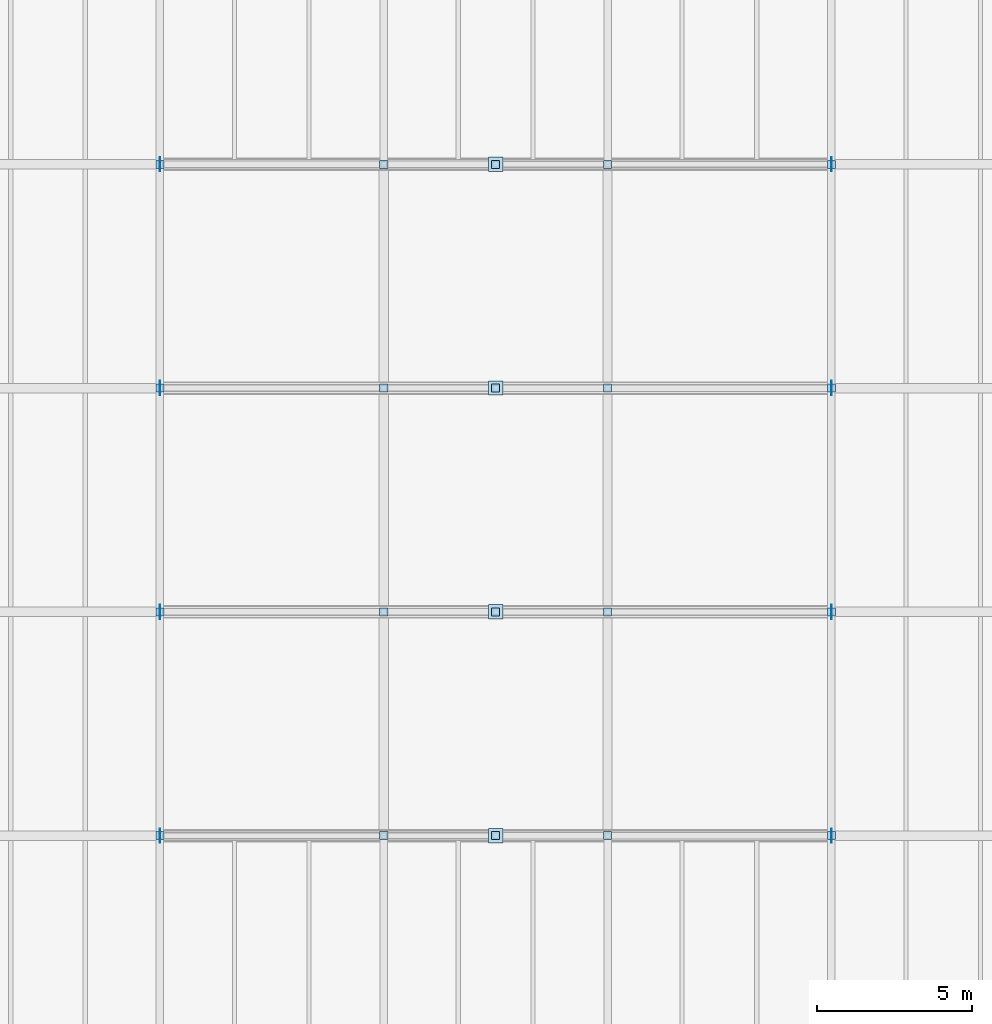
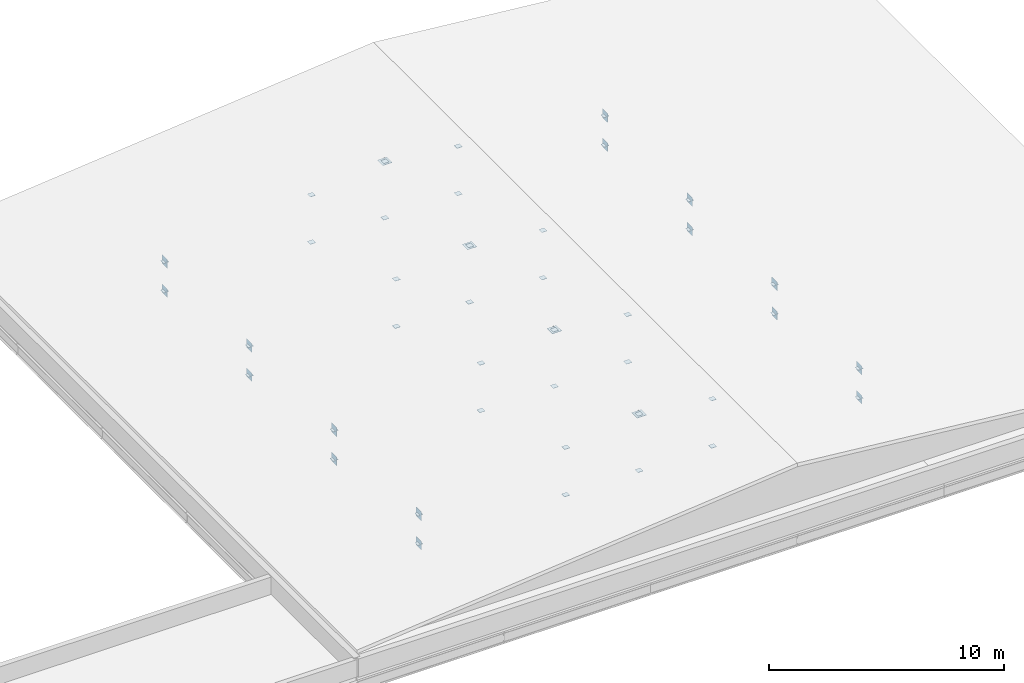
# One storey, part 55 of 91: 60 plates.
"""IFC4 building model written with IfcOpenShell, lengths in metres."""

import ifcopenshell
import ifcopenshell.guid

model = None  # the IFC model being written
_history = None  # IfcOwnerHistory: only IFC2X3 demands one
_inside = {}  # id of a spatial element -> (the spatial element, [elements in it])
_under = {}  # id of a project, library or spatial element -> (it, [spatial elements below it])
_declared = {}  # id of a project -> (the project, [libraries it declares])
_typed = {}  # id of a type object -> (the type object, [elements of that type])
_made_of = {}  # id of a material, layer set ... -> (it, [elements and type objects made of it])


def new_model(schema):
    """Start an empty IFC model of exactly this schema.

    Asked for "IFC4X3", IfcOpenShell would pick the latest addendum, in which some entities
    have other attributes; the version numbers below select the first issue.
    IFC2X3 requires an IfcOwnerHistory on every rooted entity: one is made here for all.
    """
    global model, _history
    if schema == "IFC4X3":
        model = ifcopenshell.file(schema_version=(4, 3, 0, 0))
    else:
        model = ifcopenshell.file(schema=schema)
    _inside.clear()
    _under.clear()
    _declared.clear()
    _typed.clear()
    _made_of.clear()
    _history = None
    if model.schema == "IFC2X3":
        org = make("IfcOrganization", Name="unknown")
        user = make(
            "IfcPersonAndOrganization",
            ThePerson=make("IfcPerson", FamilyName="unknown"),
            TheOrganization=org,
        )
        app = make(
            "IfcApplication",
            ApplicationDeveloper=org,
            Version="unknown",
            ApplicationFullName="unknown",
            ApplicationIdentifier="unknown",
        )
        _history = make(
            "IfcOwnerHistory",
            OwningUser=user,
            OwningApplication=app,
            ChangeAction="ADDED",
            CreationDate=0,
        )
    return model


def make(cls, **values):
    """One entity of the class cls with the attributes given. An attribute that is None is left unset."""
    return model.create_entity(
        cls, **{name: value for name, value in values.items() if value is not None}
    )


def rooted(cls, **values):
    """An entity with a GlobalId (a new one), such as an element, a storey or a relation."""
    return make(cls, GlobalId=ifcopenshell.guid.new(), OwnerHistory=_history, **values)


def si_unit(unit_type, name, prefix=None):
    """IfcSIUnit, for example si_unit("LENGTHUNIT", "METRE", prefix="MILLI")."""
    return make("IfcSIUnit", UnitType=unit_type, Prefix=prefix, Name=name)


def assignment(units):
    """IfcUnitAssignment: the units of a project."""
    return None if units is None else make("IfcUnitAssignment", Units=units)


def point(xyz):
    """IfcCartesianPoint."""
    return None if xyz is None else make("IfcCartesianPoint", Coordinates=xyz)


def direction(xyz):
    """IfcDirection."""
    return None if xyz is None else make("IfcDirection", DirectionRatios=xyz)


def frame(location, z_axis=None, x_axis=None):
    """IfcAxis2Placement3D, a coordinate frame: its origin and axes. An axis left out is left unset."""
    return make(
        "IfcAxis2Placement3D",
        Location=point(location),
        Axis=direction(z_axis),
        RefDirection=direction(x_axis),
    )


def frame_2d(location, x_axis=None):
    """IfcAxis2Placement2D, a coordinate frame in the plane: its origin and x axis."""
    return make(
        "IfcAxis2Placement2D", Location=point(location), RefDirection=direction(x_axis)
    )


def origin():
    """The frame at (0, 0, 0) with its axes left unset."""
    return frame((0.0, 0.0, 0.0))


def origin_2d():
    """The frame at (0, 0) in the plane with its x axis left unset."""
    return frame_2d((0.0, 0.0))


def place(relative_to, where):
    """IfcLocalPlacement: puts the frame where relative to a parent placement (None: the world)."""
    return make(
        "IfcLocalPlacement", PlacementRelTo=relative_to, RelativePlacement=where
    )


def context(
    kind, dimensions, precision=None, world=None, true_north=None, identifier=None
):
    """IfcGeometricRepresentationContext, for example the 3D "Model" context."""
    return make(
        "IfcGeometricRepresentationContext",
        ContextIdentifier=identifier,
        ContextType=kind,
        CoordinateSpaceDimension=dimensions,
        Precision=precision,
        WorldCoordinateSystem=world,
        TrueNorth=true_north,
    )


def subcontext(parent, identifier, kind, view, scale=None):
    """IfcGeometricRepresentationSubContext, for example "Body" below "Model"."""
    return make(
        "IfcGeometricRepresentationSubContext",
        ContextIdentifier=identifier,
        ContextType=kind,
        ParentContext=parent,
        TargetScale=scale,
        TargetView=view,
    )


def project(units=None, contexts=None):
    """IfcProject with its units and contexts."""
    return rooted(
        "IfcProject",
        Name="project",
        RepresentationContexts=contexts,
        UnitsInContext=assignment(units),
    )


def spatial(cls, under=None, at=None, **own):
    """A site, building, storey or space (cls), placed at a placement, below another one or the project."""
    s = rooted(cls, ObjectPlacement=at, **own)
    if under is not None:
        _under.setdefault(under.id(), (under, []))[1].append(s)
    return s


def profile(cls, at=None, kind="AREA", **sizes):
    """A parametric profile (cls). Its sizes go by their IFC names, for example OverallWidth=200.0."""
    return make(cls, ProfileType=kind, Position=at, **sizes)


def rectangle(**sizes):
    """IfcRectangleProfileDef."""
    return profile("IfcRectangleProfileDef", **sizes)


def extrude(swept, where, along, depth):
    """IfcExtrudedAreaSolid: the profile swept, set in the frame where, extruded along a direction by depth."""
    return make(
        "IfcExtrudedAreaSolid",
        SweptArea=swept,
        Position=where,
        ExtrudedDirection=direction(along),
        Depth=depth,
    )


def shape(context_of_items, identifier, shape_type, items):
    """IfcShapeRepresentation: the items that make up one representation, for example the "Body"."""
    return make(
        "IfcShapeRepresentation",
        ContextOfItems=context_of_items,
        RepresentationIdentifier=identifier,
        RepresentationType=shape_type,
        Items=items,
    )


def material(Name=None, Category=None):
    """IfcMaterial."""
    return make("IfcMaterial", Name=Name, Category=Category)


def layer(
    of_material, thickness, ventilated=None, Name=None, Category=None, Priority=None
):
    """IfcMaterialLayer: one layer of a wall or slab, of a material (None: an air gap)."""
    return make(
        "IfcMaterialLayer",
        Material=of_material,
        LayerThickness=thickness,
        IsVentilated=ventilated,
        Name=Name,
        Category=Category,
        Priority=Priority,
    )


def layer_set(layers, Name=None):
    """IfcMaterialLayerSet."""
    return make("IfcMaterialLayerSet", MaterialLayers=layers, LayerSetName=Name)


def made_of(thing, what):
    """Note that an element or type object is made of a material, layer set ...; save() writes the relation."""
    if what is not None:
        _made_of.setdefault(what.id(), (what, []))[1].append(thing)
    return thing


def type_object(cls, material=None, **own):
    """A type object (cls), such as IfcWallType, which elements share."""
    return made_of(rooted(cls, **own), material)


def element(
    cls,
    number,
    at=None,
    inside=None,
    cuts=None,
    type_object=None,
    material=None,
    context=None,
    identifier="Body",
    shape_type=None,
    held_by="IfcProductDefinitionShape",
    body=None,
    shapes=None,
    **own,
):
    """One element of the class cls, such as IfcWall. Its Tag is "e" and its number.

    at: its placement. inside: the storey or other place that contains it. cuts: it is an
    opening in that element (IfcRelVoidsElement). A single representation is given by context,
    identifier, shape_type and body (its items); several are given by shapes. held_by: the class
    of the entity that holds the representations. save() writes the other relations.
    """
    e = rooted(cls, Tag="e%d" % number, ObjectPlacement=at, **own)
    if body is not None:
        shapes = [shape(context, identifier, shape_type, body)]
    if shapes is not None:
        e.Representation = make(held_by, Representations=shapes)
    if inside is not None:
        _inside.setdefault(inside.id(), (inside, []))[1].append(e)
    if cuts is not None:
        rooted(
            "IfcRelVoidsElement", RelatingBuildingElement=cuts, RelatedOpeningElement=e
        )
    if type_object is not None:
        _typed.setdefault(type_object.id(), (type_object, []))[1].append(e)
    return made_of(e, material)


def aggregate(whole, parts):
    """IfcRelAggregates: a whole, such as a stair, and the parts it consists of."""
    return rooted("IfcRelAggregates", RelatingObject=whole, RelatedObjects=parts)


def save(model, path):
    """Write the relations noted so far, then the file.

    IfcRelAggregates (storeys below a building ...), IfcRelContainedInSpatialStructure (elements
    in a storey), IfcRelDefinesByType, IfcRelAssociatesMaterial and IfcRelDeclares: one each for
    every whole, place, type object, material and project.
    """
    for whole, parts in _under.values():
        aggregate(whole, parts)
    for where, things in _inside.values():
        rooted(
            "IfcRelContainedInSpatialStructure",
            RelatedElements=things,
            RelatingStructure=where,
        )
    for kind, things in _typed.values():
        rooted("IfcRelDefinesByType", RelatedObjects=things, RelatingType=kind)
    for what, things in _made_of.values():
        rooted("IfcRelAssociatesMaterial", RelatedObjects=things, RelatingMaterial=what)
    for by, libraries in _declared.values():
        rooted("IfcRelDeclares", RelatingContext=by, RelatedDefinitions=libraries)
    model.write(path)


model = new_model("IFC4")

# Units and contexts
model_context = context("Model", 3, precision=1e-05, world=origin(), true_north=direction((0.0, 1.0)))
body_context = subcontext(model_context, "Body", "Model", "MODEL_VIEW")
ifc_project = project(units=[si_unit("LENGTHUNIT", "METRE"), si_unit("AREAUNIT", "SQUARE_METRE"), si_unit("VOLUMEUNIT", "CUBIC_METRE"), si_unit("PLANEANGLEUNIT", "RADIAN"), si_unit("MASSUNIT", "GRAM", prefix="KILO")], contexts=[model_context])

# Site, building, storey
site_placement = place(None, origin())
site = spatial("IfcSite", under=ifc_project, at=site_placement, CompositionType="ELEMENT")
building_placement = place(site_placement, origin())
building = spatial("IfcBuilding", under=site, at=building_placement, Name="Narikvali Park Central Library", CompositionType="ELEMENT")
storey_placement = place(building_placement, frame((0.0, 0.0, 14.39990234375)))
storey = spatial("IfcBuildingStorey", under=building, at=storey_placement, Name="L03", CompositionType="ELEMENT", Elevation=14.39990234375)

# Plates
ifc_material = material(Name="Steel S355", Category="steel")
ifc_layer = layer(ifc_material, 0.013916015625, Name="Steel S355")
ifc_layer_set = layer_set([ifc_layer], Name="Steel S355")
plate_type = type_object("IfcPlateType", Name="Steel Hollow End Cap Plate 14", PredefinedType="SHEET", material=ifc_layer_set)
for number, where, z_axis, x_axis, name in (
    (1, (129.595947265625, 86.39990234375, -0.239990234375), (0.0, 0.0, 1.0), (-1.0, 0.0, 0.0), "Hollow Section Steel End Cap V3-TCCAP-BW-1"),
    (2, (151.2041015625, 86.39990234375, -0.239990234375), (0.0, 0.0, 1.0), (1.0, 0.0, 0.0), "Hollow Section Steel End Cap V3-TCCAP-BE-1"),
):
    element("IfcPlate", number, at=place(storey_placement, frame(where, z_axis=z_axis, x_axis=x_axis)), inside=storey, type_object=plate_type, Name=name, PredefinedType="SHEET", context=body_context, shape_type="SweptSolid", body=[
        extrude(rectangle(XDim=0.013916015625, YDim=0.43994140625, at=origin_2d()), origin(), (0.0, 0.0, 1.0), 0.43994140625),
    ])
for number, where, z_axis, x_axis, name in (
    (3, (129.595947265625, 86.39990234375, 1.27001953125), (0.0, 0.0, 1.0), (-1.0, 0.0, 0.0), "Hollow Section Steel End Cap V3-TCCAP-TW-1"),
    (4, (151.2041015625, 86.39990234375, 1.27001953125), (0.0, 0.0, 1.0), (1.0, 0.0, 0.0), "Hollow Section Steel End Cap V3-TCCAP-TE-1"),
):
    element("IfcPlate", number, at=place(storey_placement, frame(where, z_axis=z_axis, x_axis=x_axis)), inside=storey, type_object=plate_type, Name=name, PredefinedType="SHEET", context=body_context, shape_type="SweptSolid", body=[
        extrude(rectangle(XDim=0.013916015625, YDim=0.4599609375, at=origin_2d()), origin(), (0.0, 0.0, 1.0), 0.4599609375),
    ])
plate_1_placement = place(storey_placement, frame((140.39990234375, 86.39990234375, 2.89697265625), z_axis=(0.0, 0.0, 1.0), x_axis=(1.0, 0.0, 0.0)))
element("IfcPlate", 5, at=plate_1_placement, inside=storey, type_object=plate_type, Name="Hollow Section Steel End Cap V3-TCCAP-AP-1", PredefinedType="SHEET", context=body_context, shape_type="SweptSolid", body=[
    extrude(rectangle(XDim=0.4599609375, YDim=0.4599609375, at=origin_2d()), origin(), (0.0, 0.0, 1.0), 0.013916015625),
])
for number, where, z_axis, x_axis, name in (
    (6, (129.60009765625, 86.39990234375, -0.03076171875), (0.0, 0.0, 1.0), (1.0, 0.0, 0.0), "Hollow Section Steel End Cap V3-TVCAP-B-1-1"),
    (7, (129.60009765625, 86.39990234375, 1.4970703125), (0.0, 0.0, 1.0), (1.0, 0.0, 0.0), "Hollow Section Steel End Cap V3-TVCAP-T-1-1"),
    (8, (136.800048828125, 86.39990234375, -0.03076171875), (0.0, 0.0, 1.0), (1.0, 0.0, 0.0), "Hollow Section Steel End Cap V3-TVCAP-B-1-2"),
    (9, (136.800048828125, 86.39990234375, 2.42724609375), (0.0, 0.0, 1.0), (1.0, 0.0, 0.0), "Hollow Section Steel End Cap V3-TVCAP-T-1-2"),
    (10, (140.39990234375, 86.39990234375, -0.03076171875), (0.0, 0.0, 1.0), (1.0, 0.0, 0.0), "Hollow Section Steel End Cap V3-TVCAP-B-1-3"),
    (11, (140.39990234375, 86.39990234375, 2.89697265625), (0.0, 0.0, 1.0), (1.0, 0.0, 0.0), "Hollow Section Steel End Cap V3-TVCAP-T-1-3"),
    (12, (144.0, 86.39990234375, -0.03076171875), (0.0, 0.0, 1.0), (1.0, 0.0, 0.0), "Hollow Section Steel End Cap V3-TVCAP-B-1-4"),
    (13, (144.0, 86.39990234375, 2.42724609375), (0.0, 0.0, 1.0), (1.0, 0.0, 0.0), "Hollow Section Steel End Cap V3-TVCAP-T-1-4"),
    (14, (151.199951171875, 86.39990234375, -0.03076171875), (0.0, 0.0, 1.0), (1.0, 0.0, 0.0), "Hollow Section Steel End Cap V3-TVCAP-B-1-5"),
    (15, (151.199951171875, 86.39990234375, 1.4970703125), (0.0, 0.0, 1.0), (1.0, 0.0, 0.0), "Hollow Section Steel End Cap V3-TVCAP-T-1-5"),
):
    element("IfcPlate", number, at=place(storey_placement, frame(where, z_axis=z_axis, x_axis=x_axis)), inside=storey, type_object=plate_type, Name=name, PredefinedType="SHEET", context=body_context, shape_type="SweptSolid", body=[
        extrude(rectangle(XDim=0.260009765625, YDim=0.260009765625, at=origin_2d()), origin(), (0.0, 0.0, 1.0), 0.013916015625),
    ])
for number, where, z_axis, x_axis, name in (
    (16, (129.595947265625, 93.60009765625, -0.239990234375), (0.0, 0.0, 1.0), (-1.0, 0.0, 0.0), "Hollow Section Steel End Cap V3-TCCAP-BW-2"),
    (17, (151.2041015625, 93.60009765625, -0.239990234375), (0.0, 0.0, 1.0), (1.0, 0.0, 0.0), "Hollow Section Steel End Cap V3-TCCAP-BE-2"),
):
    element("IfcPlate", number, at=place(storey_placement, frame(where, z_axis=z_axis, x_axis=x_axis)), inside=storey, type_object=plate_type, Name=name, PredefinedType="SHEET", context=body_context, shape_type="SweptSolid", body=[
        extrude(rectangle(XDim=0.013916015625, YDim=0.43994140625, at=origin_2d()), origin(), (0.0, 0.0, 1.0), 0.43994140625),
    ])
for number, where, z_axis, x_axis, name in (
    (18, (129.595947265625, 93.60009765625, 1.27001953125), (0.0, 0.0, 1.0), (-1.0, 0.0, 0.0), "Hollow Section Steel End Cap V3-TCCAP-TW-2"),
    (19, (151.2041015625, 93.60009765625, 1.27001953125), (0.0, 0.0, 1.0), (1.0, 0.0, 0.0), "Hollow Section Steel End Cap V3-TCCAP-TE-2"),
):
    element("IfcPlate", number, at=place(storey_placement, frame(where, z_axis=z_axis, x_axis=x_axis)), inside=storey, type_object=plate_type, Name=name, PredefinedType="SHEET", context=body_context, shape_type="SweptSolid", body=[
        extrude(rectangle(XDim=0.013916015625, YDim=0.4599609375, at=origin_2d()), origin(), (0.0, 0.0, 1.0), 0.4599609375),
    ])
plate_2_placement = place(storey_placement, frame((140.39990234375, 93.60009765625, 2.89697265625), z_axis=(0.0, 0.0, 1.0), x_axis=(1.0, 0.0, 0.0)))
element("IfcPlate", 20, at=plate_2_placement, inside=storey, type_object=plate_type, Name="Hollow Section Steel End Cap V3-TCCAP-AP-2", PredefinedType="SHEET", context=body_context, shape_type="SweptSolid", body=[
    extrude(rectangle(XDim=0.4599609375, YDim=0.4599609375, at=origin_2d()), origin(), (0.0, 0.0, 1.0), 0.013916015625),
])
for number, where, z_axis, x_axis, name in (
    (21, (129.60009765625, 93.60009765625, -0.03076171875), (0.0, 0.0, 1.0), (1.0, 0.0, 0.0), "Hollow Section Steel End Cap V3-TVCAP-B-2-1"),
    (22, (129.60009765625, 93.60009765625, 1.4970703125), (0.0, 0.0, 1.0), (1.0, 0.0, 0.0), "Hollow Section Steel End Cap V3-TVCAP-T-2-1"),
    (23, (136.800048828125, 93.60009765625, -0.03076171875), (0.0, 0.0, 1.0), (1.0, 0.0, 0.0), "Hollow Section Steel End Cap V3-TVCAP-B-2-2"),
    (24, (136.800048828125, 93.60009765625, 2.42724609375), (0.0, 0.0, 1.0), (1.0, 0.0, 0.0), "Hollow Section Steel End Cap V3-TVCAP-T-2-2"),
    (25, (140.39990234375, 93.60009765625, -0.03076171875), (0.0, 0.0, 1.0), (1.0, 0.0, 0.0), "Hollow Section Steel End Cap V3-TVCAP-B-2-3"),
    (26, (140.39990234375, 93.60009765625, 2.89697265625), (0.0, 0.0, 1.0), (1.0, 0.0, 0.0), "Hollow Section Steel End Cap V3-TVCAP-T-2-3"),
    (27, (144.0, 93.60009765625, -0.03076171875), (0.0, 0.0, 1.0), (1.0, 0.0, 0.0), "Hollow Section Steel End Cap V3-TVCAP-B-2-4"),
    (28, (144.0, 93.60009765625, 2.42724609375), (0.0, 0.0, 1.0), (1.0, 0.0, 0.0), "Hollow Section Steel End Cap V3-TVCAP-T-2-4"),
    (29, (151.199951171875, 93.60009765625, -0.03076171875), (0.0, 0.0, 1.0), (1.0, 0.0, 0.0), "Hollow Section Steel End Cap V3-TVCAP-B-2-5"),
    (30, (151.199951171875, 93.60009765625, 1.4970703125), (0.0, 0.0, 1.0), (1.0, 0.0, 0.0), "Hollow Section Steel End Cap V3-TVCAP-T-2-5"),
):
    element("IfcPlate", number, at=place(storey_placement, frame(where, z_axis=z_axis, x_axis=x_axis)), inside=storey, type_object=plate_type, Name=name, PredefinedType="SHEET", context=body_context, shape_type="SweptSolid", body=[
        extrude(rectangle(XDim=0.260009765625, YDim=0.260009765625, at=origin_2d()), origin(), (0.0, 0.0, 1.0), 0.013916015625),
    ])
for number, where, z_axis, x_axis, name in (
    (31, (129.595947265625, 100.800048828125, -0.239990234375), (0.0, 0.0, 1.0), (-1.0, 0.0, 0.0), "Hollow Section Steel End Cap V3-TCCAP-BW-3"),
    (32, (151.2041015625, 100.800048828125, -0.239990234375), (0.0, 0.0, 1.0), (1.0, 0.0, 0.0), "Hollow Section Steel End Cap V3-TCCAP-BE-3"),
):
    element("IfcPlate", number, at=place(storey_placement, frame(where, z_axis=z_axis, x_axis=x_axis)), inside=storey, type_object=plate_type, Name=name, PredefinedType="SHEET", context=body_context, shape_type="SweptSolid", body=[
        extrude(rectangle(XDim=0.013916015625, YDim=0.43994140625, at=origin_2d()), origin(), (0.0, 0.0, 1.0), 0.43994140625),
    ])
for number, where, z_axis, x_axis, name in (
    (33, (129.595947265625, 100.800048828125, 1.27001953125), (0.0, 0.0, 1.0), (-1.0, 0.0, 0.0), "Hollow Section Steel End Cap V3-TCCAP-TW-3"),
    (34, (151.2041015625, 100.800048828125, 1.27001953125), (0.0, 0.0, 1.0), (1.0, 0.0, 0.0), "Hollow Section Steel End Cap V3-TCCAP-TE-3"),
):
    element("IfcPlate", number, at=place(storey_placement, frame(where, z_axis=z_axis, x_axis=x_axis)), inside=storey, type_object=plate_type, Name=name, PredefinedType="SHEET", context=body_context, shape_type="SweptSolid", body=[
        extrude(rectangle(XDim=0.013916015625, YDim=0.4599609375, at=origin_2d()), origin(), (0.0, 0.0, 1.0), 0.4599609375),
    ])
plate_3_placement = place(storey_placement, frame((140.39990234375, 100.800048828125, 2.89697265625), z_axis=(0.0, 0.0, 1.0), x_axis=(1.0, 0.0, 0.0)))
element("IfcPlate", 35, at=plate_3_placement, inside=storey, type_object=plate_type, Name="Hollow Section Steel End Cap V3-TCCAP-AP-3", PredefinedType="SHEET", context=body_context, shape_type="SweptSolid", body=[
    extrude(rectangle(XDim=0.4599609375, YDim=0.4599609375, at=origin_2d()), origin(), (0.0, 0.0, 1.0), 0.013916015625),
])
for number, where, z_axis, x_axis, name in (
    (36, (129.60009765625, 100.800048828125, -0.03076171875), (0.0, 0.0, 1.0), (1.0, 0.0, 0.0), "Hollow Section Steel End Cap V3-TVCAP-B-3-1"),
    (37, (129.60009765625, 100.800048828125, 1.4970703125), (0.0, 0.0, 1.0), (1.0, 0.0, 0.0), "Hollow Section Steel End Cap V3-TVCAP-T-3-1"),
    (38, (136.800048828125, 100.800048828125, -0.03076171875), (0.0, 0.0, 1.0), (1.0, 0.0, 0.0), "Hollow Section Steel End Cap V3-TVCAP-B-3-2"),
    (39, (136.800048828125, 100.800048828125, 2.42724609375), (0.0, 0.0, 1.0), (1.0, 0.0, 0.0), "Hollow Section Steel End Cap V3-TVCAP-T-3-2"),
    (40, (140.39990234375, 100.800048828125, -0.03076171875), (0.0, 0.0, 1.0), (1.0, 0.0, 0.0), "Hollow Section Steel End Cap V3-TVCAP-B-3-3"),
    (41, (140.39990234375, 100.800048828125, 2.89697265625), (0.0, 0.0, 1.0), (1.0, 0.0, 0.0), "Hollow Section Steel End Cap V3-TVCAP-T-3-3"),
    (42, (144.0, 100.800048828125, -0.03076171875), (0.0, 0.0, 1.0), (1.0, 0.0, 0.0), "Hollow Section Steel End Cap V3-TVCAP-B-3-4"),
    (43, (144.0, 100.800048828125, 2.42724609375), (0.0, 0.0, 1.0), (1.0, 0.0, 0.0), "Hollow Section Steel End Cap V3-TVCAP-T-3-4"),
    (44, (151.199951171875, 100.800048828125, -0.03076171875), (0.0, 0.0, 1.0), (1.0, 0.0, 0.0), "Hollow Section Steel End Cap V3-TVCAP-B-3-5"),
    (45, (151.199951171875, 100.800048828125, 1.4970703125), (0.0, 0.0, 1.0), (1.0, 0.0, 0.0), "Hollow Section Steel End Cap V3-TVCAP-T-3-5"),
):
    element("IfcPlate", number, at=place(storey_placement, frame(where, z_axis=z_axis, x_axis=x_axis)), inside=storey, type_object=plate_type, Name=name, PredefinedType="SHEET", context=body_context, shape_type="SweptSolid", body=[
        extrude(rectangle(XDim=0.260009765625, YDim=0.260009765625, at=origin_2d()), origin(), (0.0, 0.0, 1.0), 0.013916015625),
    ])
for number, where, z_axis, x_axis, name in (
    (46, (129.595947265625, 108.0, -0.239990234375), (0.0, 0.0, 1.0), (-1.0, 0.0, 0.0), "Hollow Section Steel End Cap V3-TCCAP-BW-4"),
    (47, (151.2041015625, 108.0, -0.239990234375), (0.0, 0.0, 1.0), (1.0, 0.0, 0.0), "Hollow Section Steel End Cap V3-TCCAP-BE-4"),
):
    element("IfcPlate", number, at=place(storey_placement, frame(where, z_axis=z_axis, x_axis=x_axis)), inside=storey, type_object=plate_type, Name=name, PredefinedType="SHEET", context=body_context, shape_type="SweptSolid", body=[
        extrude(rectangle(XDim=0.013916015625, YDim=0.43994140625, at=origin_2d()), origin(), (0.0, 0.0, 1.0), 0.43994140625),
    ])
for number, where, z_axis, x_axis, name in (
    (48, (129.595947265625, 108.0, 1.27001953125), (0.0, 0.0, 1.0), (-1.0, 0.0, 0.0), "Hollow Section Steel End Cap V3-TCCAP-TW-4"),
    (49, (151.2041015625, 108.0, 1.27001953125), (0.0, 0.0, 1.0), (1.0, 0.0, 0.0), "Hollow Section Steel End Cap V3-TCCAP-TE-4"),
):
    element("IfcPlate", number, at=place(storey_placement, frame(where, z_axis=z_axis, x_axis=x_axis)), inside=storey, type_object=plate_type, Name=name, PredefinedType="SHEET", context=body_context, shape_type="SweptSolid", body=[
        extrude(rectangle(XDim=0.013916015625, YDim=0.4599609375, at=origin_2d()), origin(), (0.0, 0.0, 1.0), 0.4599609375),
    ])
plate_4_placement = place(storey_placement, frame((140.39990234375, 108.0, 2.89697265625), z_axis=(0.0, 0.0, 1.0), x_axis=(1.0, 0.0, 0.0)))
element("IfcPlate", 50, at=plate_4_placement, inside=storey, type_object=plate_type, Name="Hollow Section Steel End Cap V3-TCCAP-AP-4", PredefinedType="SHEET", context=body_context, shape_type="SweptSolid", body=[
    extrude(rectangle(XDim=0.4599609375, YDim=0.4599609375, at=origin_2d()), origin(), (0.0, 0.0, 1.0), 0.013916015625),
])
for number, where, z_axis, x_axis, name in (
    (51, (129.60009765625, 108.0, -0.03076171875), (0.0, 0.0, 1.0), (1.0, 0.0, 0.0), "Hollow Section Steel End Cap V3-TVCAP-B-4-1"),
    (52, (129.60009765625, 108.0, 1.4970703125), (0.0, 0.0, 1.0), (1.0, 0.0, 0.0), "Hollow Section Steel End Cap V3-TVCAP-T-4-1"),
    (53, (136.800048828125, 108.0, -0.03076171875), (0.0, 0.0, 1.0), (1.0, 0.0, 0.0), "Hollow Section Steel End Cap V3-TVCAP-B-4-2"),
    (54, (136.800048828125, 108.0, 2.42724609375), (0.0, 0.0, 1.0), (1.0, 0.0, 0.0), "Hollow Section Steel End Cap V3-TVCAP-T-4-2"),
    (55, (140.39990234375, 108.0, -0.03076171875), (0.0, 0.0, 1.0), (1.0, 0.0, 0.0), "Hollow Section Steel End Cap V3-TVCAP-B-4-3"),
    (56, (140.39990234375, 108.0, 2.89697265625), (0.0, 0.0, 1.0), (1.0, 0.0, 0.0), "Hollow Section Steel End Cap V3-TVCAP-T-4-3"),
    (57, (144.0, 108.0, -0.03076171875), (0.0, 0.0, 1.0), (1.0, 0.0, 0.0), "Hollow Section Steel End Cap V3-TVCAP-B-4-4"),
    (58, (144.0, 108.0, 2.42724609375), (0.0, 0.0, 1.0), (1.0, 0.0, 0.0), "Hollow Section Steel End Cap V3-TVCAP-T-4-4"),
    (59, (151.199951171875, 108.0, -0.03076171875), (0.0, 0.0, 1.0), (1.0, 0.0, 0.0), "Hollow Section Steel End Cap V3-TVCAP-B-4-5"),
    (60, (151.199951171875, 108.0, 1.4970703125), (0.0, 0.0, 1.0), (1.0, 0.0, 0.0), "Hollow Section Steel End Cap V3-TVCAP-T-4-5"),
):
    element("IfcPlate", number, at=place(storey_placement, frame(where, z_axis=z_axis, x_axis=x_axis)), inside=storey, type_object=plate_type, Name=name, PredefinedType="SHEET", context=body_context, shape_type="SweptSolid", body=[
        extrude(rectangle(XDim=0.260009765625, YDim=0.260009765625, at=origin_2d()), origin(), (0.0, 0.0, 1.0), 0.013916015625),
    ])

save(model, "model.ifc")
